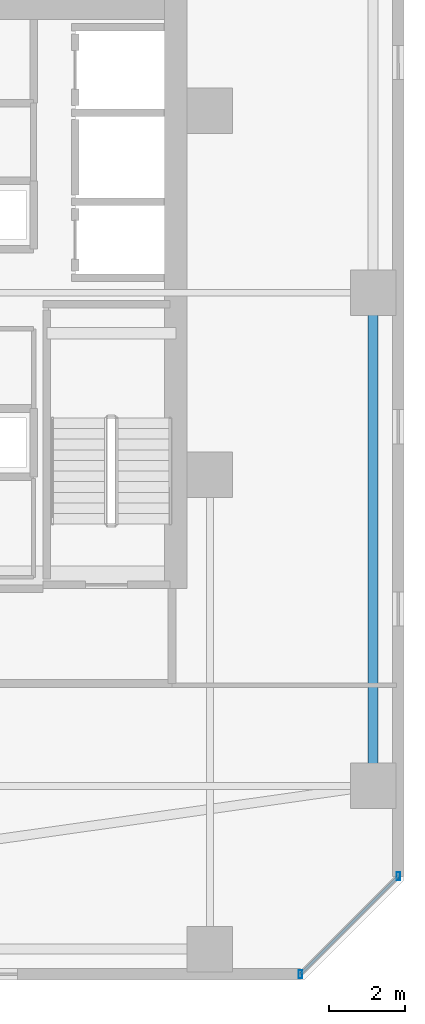
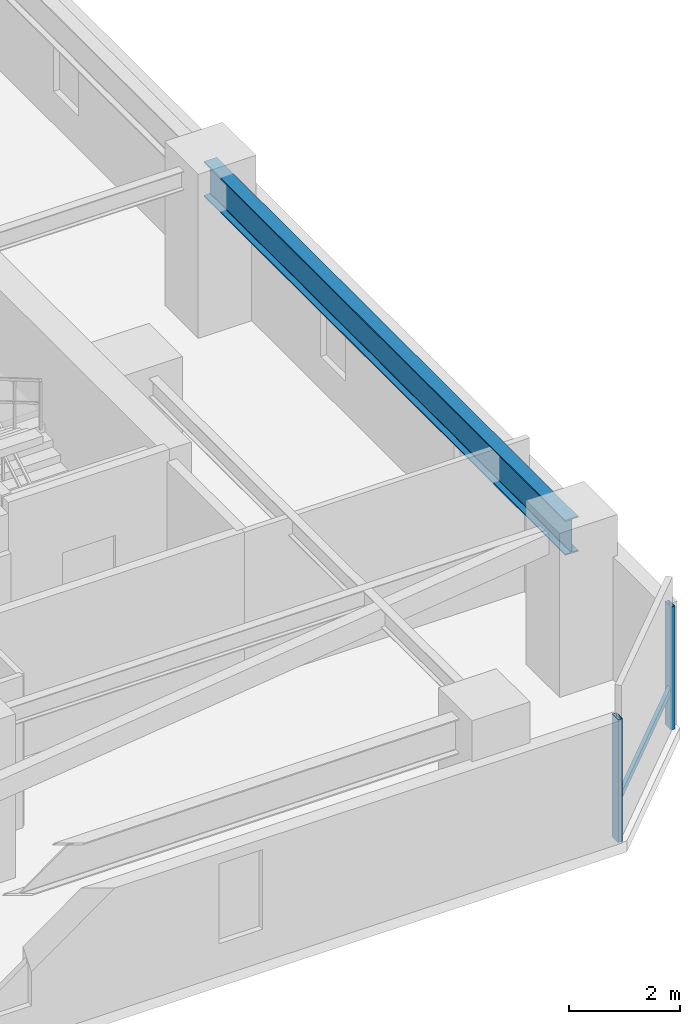
# One storey, part 12 of 31: 3 members, 1 beam, 1 element without a shape of its own.
"""IFC4 building model written with IfcOpenShell, lengths in metres."""

from ifc_helpers import new_model, si_unit, direction, frame, origin, origin_2d, place, context, subcontext, project, spatial, hollow_rectangle, i_section, extrude, material, material_profile, profile_set, type_object, element, aggregate, save


model = new_model("IFC4")

# Units and contexts
model_context = context("Model", 3, precision=1e-05, world=origin(), true_north=direction((0.0, 1.0)))
body_context = subcontext(model_context, "Body", "Model", "MODEL_VIEW")
ifc_project = project(units=[si_unit("LENGTHUNIT", "METRE"), si_unit("AREAUNIT", "SQUARE_METRE"), si_unit("VOLUMEUNIT", "CUBIC_METRE"), si_unit("PLANEANGLEUNIT", "RADIAN"), si_unit("MASSUNIT", "GRAM", prefix="KILO")], contexts=[model_context])

# Site, building, storey
site_placement = place(None, origin())
site = spatial("IfcSite", under=ifc_project, at=site_placement, CompositionType="ELEMENT")
building_placement = place(site_placement, origin())
building = spatial("IfcBuilding", under=site, at=building_placement, Name="Thornwick Lancets Civic Towers", CompositionType="ELEMENT")
storey_placement = place(building_placement, frame((0.0, 0.0, 87.300048828125)))
storey = spatial("IfcBuildingStorey", under=building, at=storey_placement, Name="L22", CompositionType="ELEMENT", Elevation=87.300048828125)

# Beam
ifc_material_1 = material(Name="Steel S355JR", Category="steel")
ifc_material_profile_1 = material_profile(ifc_material_1, i_section(OverallWidth=0.26806640625, OverallDepth=0.769775390625, WebThickness=0.015625, FlangeThickness=0.025390625, FilletRadius=0.0166015625, at=origin_2d()), Name="UKB 762x267x197")
ifc_profile_set_1 = profile_set([ifc_material_profile_1], Name="Steel S355JR")
beam_type = type_object("IfcBeamType", Name="BM_GIRD_762_197", PredefinedType="BEAM", material=ifc_profile_set_1)
beam_placement = place(storey_placement, frame((105.800048828125, 14.0, 2.97509765625), z_axis=(0.0, 1.0, 0.0), x_axis=(-1.0, 0.0, 0.0)))
element("IfcBeam", 1, at=beam_placement, inside=storey, type_object=beam_type, Name="BM-SPINE-L22-B-0-1", PredefinedType="BEAM", context=body_context, shape_type="SweptSolid", body=[
    extrude(i_section(OverallWidth=0.26806640625, OverallDepth=0.769775390625, WebThickness=0.015625, FlangeThickness=0.025390625, FilletRadius=0.0166015625, at=origin_2d()), origin(), (0.0, 0.0, 1.0), 13.0),
])

# Curtain wall, members
ifc_material_2 = material(Name="Low-zone chamfered-corner unitised glass curtain wall", Category="glass")
curtain_wall_type = type_object("IfcCurtainWallType", Name="CW_SYS_03", PredefinedType="NOTDEFINED", material=ifc_material_2)
curtain_wall_placement = place(storey_placement, origin())
curtain_wall = element("IfcCurtainWall", 2, at=curtain_wall_placement, inside=storey, type_object=curtain_wall_type, Name="L22 Curtain Wall CW-L22-B-E1", PredefinedType="NOTDEFINED")
ifc_material_3 = material(Name="Thermally broken bronze aluminium S355", Category="steel")
ifc_material_profile_2 = material_profile(ifc_material_3, hollow_rectangle(XDim=0.090087890625, YDim=0.219970703125, WallThickness=0.00634765625, at=origin_2d()), Name="RHS 220x90x6.3")
ifc_profile_set_2 = profile_set([ifc_material_profile_2], Name="Thermally broken bronze aluminium S355")
member_type_1 = type_object("IfcMemberType", Name="CW_MUL_220", PredefinedType="MULLION", material=ifc_profile_set_2)
member_1_placement = place(storey_placement, frame((103.88134765625, 9.035400390625, 0.0), z_axis=(0.0, 0.0, 1.0), x_axis=(1.0, 0.0, 0.0)))
member_1 = element("IfcMember", 3, at=member_1_placement, type_object=member_type_1, Name="CW-L22-B-E1 Mullion 0", PredefinedType="MULLION", context=body_context, shape_type="SweptSolid", body=[
    extrude(hollow_rectangle(XDim=0.090087890625, YDim=0.219970703125, WallThickness=0.00634765625, at=origin_2d()), origin(), (0.0, 0.0, 1.0), 2.699951171875),
])
member_2_placement = place(storey_placement, frame((106.464599609375, 11.61865234375, 0.0), z_axis=(0.0, 0.0, 1.0), x_axis=(1.0, 0.0, 0.0)))
member_2 = element("IfcMember", 4, at=member_2_placement, type_object=member_type_1, Name="CW-L22-B-E1 Mullion 1", PredefinedType="MULLION", context=body_context, shape_type="SweptSolid", body=[
    extrude(hollow_rectangle(XDim=0.090087890625, YDim=0.219970703125, WallThickness=0.00634765625, at=origin_2d()), origin(), (0.0, 0.0, 1.0), 2.699951171875),
])
ifc_material_profile_3 = material_profile(ifc_material_3, hollow_rectangle(XDim=0.074951171875, YDim=0.14990234375, WallThickness=0.0048828125, at=origin_2d()), Name="RHS 150x75x5")
ifc_profile_set_3 = profile_set([ifc_material_profile_3], Name="Thermally broken bronze aluminium S355")
member_type_2 = type_object("IfcMemberType", Name="CW_TRN_150", PredefinedType="USERDEFINED", material=ifc_profile_set_3)
member_3_placement = place(storey_placement, frame((103.8955078125, 9.04931640625, 0.849853515625), z_axis=(0.707106781187, 0.707106781187, 0.0), x_axis=(-0.707106781187, 0.707106781187, 0.0)))
member_3 = element("IfcMember", 5, at=member_3_placement, type_object=member_type_2, Name="CW-L22-B-E1 Transom 0", ObjectType="TRANSOM", PredefinedType="USERDEFINED", context=body_context, shape_type="SweptSolid", body=[
    extrude(hollow_rectangle(XDim=0.074951171875, YDim=0.14990234375, WallThickness=0.0048828125, at=origin_2d()), origin(), (0.0, 0.0, 1.0), 3.613525390625),
])
aggregate(curtain_wall, [member_1, member_2, member_3])

save(model, "model.ifc")
